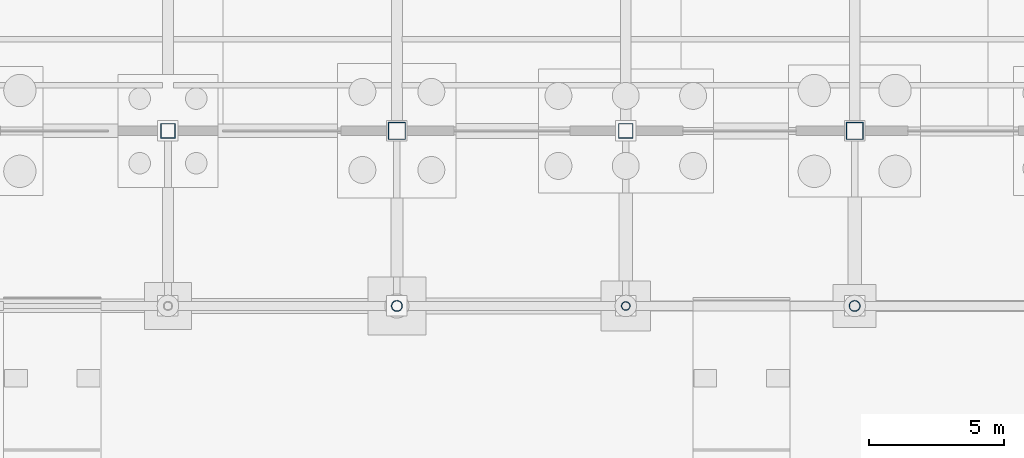
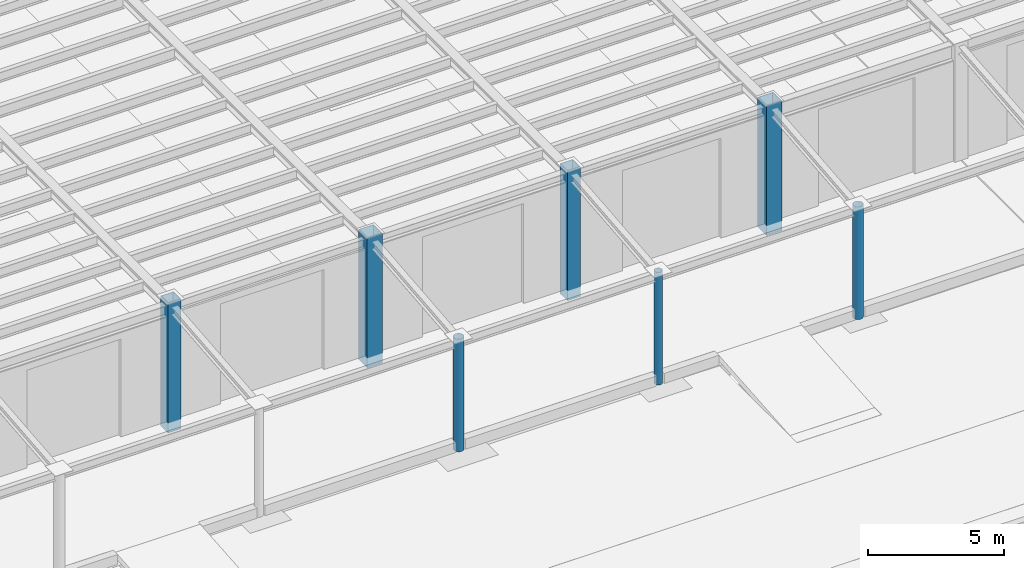
# One storey, part 16 of 86: 7 columns.
"""IFC4 building model written with IfcOpenShell, lengths in metres."""

from ifc_helpers import new_model, si_unit, direction, frame, origin, origin_2d, place, context, subcontext, project, spatial, hollow_rectangle, hollow_circle, extrude, material, material_profile, profile_set, type_object, element, save


model = new_model("IFC4")

# Units and contexts
model_context = context("Model", 3, precision=1e-05, world=origin(), true_north=direction((0.0, 1.0)))
body_context = subcontext(model_context, "Body", "Model", "MODEL_VIEW")
ifc_project = project(units=[si_unit("LENGTHUNIT", "METRE"), si_unit("AREAUNIT", "SQUARE_METRE"), si_unit("VOLUMEUNIT", "CUBIC_METRE"), si_unit("PLANEANGLEUNIT", "RADIAN"), si_unit("MASSUNIT", "GRAM", prefix="KILO"), si_unit("THERMODYNAMICTEMPERATUREUNIT", "KELVIN"), si_unit("POWERUNIT", "WATT")], contexts=[model_context])

# Site, building, storey
site_placement = place(None, origin())
site = spatial("IfcSite", under=ifc_project, at=site_placement, CompositionType="ELEMENT")
building_placement = place(site_placement, origin())
building = spatial("IfcBuilding", under=site, at=building_placement, Name="Zhenchuan Central Fire Station", CompositionType="ELEMENT")
storey_placement = place(building_placement, frame((0.0, 0.0, 0.449951171875)))
storey = spatial("IfcBuildingStorey", under=building, at=storey_placement, Name="L01", CompositionType="ELEMENT", Elevation=0.449951171875)

# Columns
ifc_material = material(Name="Steel Q355B", Category="steel")
ifc_material_profile_1 = material_profile(ifc_material, hollow_rectangle(XDim=0.550048828125, YDim=0.550048828125, WallThickness=0.02587890625, at=origin_2d()), Name="BOX 550x550x26")
ifc_profile_set_1 = profile_set([ifc_material_profile_1], Name="Steel Q355B")
column_type_1 = type_object("IfcColumnType", Name="COL-BOX550", PredefinedType="COLUMN", material=ifc_profile_set_1)
for number, where, z_axis, x_axis, name in (
    (1, (98.5, 6.5, -0.449951171875), (0.0, 0.0, 1.0), (1.0, 0.0, 0.0), "L01 Column 083"),
    (2, (115.5, 6.5, -0.449951171875), (0.0, 0.0, 1.0), (1.0, 0.0, 0.0), "L01 Column 089"),
):
    element("IfcColumn", number, at=place(storey_placement, frame(where, z_axis=z_axis, x_axis=x_axis)), inside=storey, type_object=column_type_1, Name=name, PredefinedType="COLUMN", context=body_context, shape_type="SweptSolid", body=[
        extrude(hollow_rectangle(XDim=0.550048828125, YDim=0.550048828125, WallThickness=0.02587890625, at=origin_2d()), origin(), (0.0, 0.0, 1.0), 5.85009765625),
    ])
ifc_material_profile_2 = material_profile(ifc_material, hollow_rectangle(XDim=0.64990234375, YDim=0.64990234375, WallThickness=0.031982421875, at=origin_2d()), Name="BOX 650x650x32")
ifc_profile_set_2 = profile_set([ifc_material_profile_2], Name="Steel Q355B")
column_type_2 = type_object("IfcColumnType", Name="COL-BOX650", PredefinedType="COLUMN", material=ifc_profile_set_2)
for number, where, z_axis, x_axis, name in (
    (3, (107.0, 6.5, -0.449951171875), (0.0, 0.0, 1.0), (1.0, 0.0, 0.0), "L01 Column 086"),
    (4, (124.0, 6.5, -0.449951171875), (0.0, 0.0, 1.0), (1.0, 0.0, 0.0), "L01 Column 092"),
):
    element("IfcColumn", number, at=place(storey_placement, frame(where, z_axis=z_axis, x_axis=x_axis)), inside=storey, type_object=column_type_2, Name=name, PredefinedType="COLUMN", context=body_context, shape_type="SweptSolid", body=[
        extrude(hollow_rectangle(XDim=0.64990234375, YDim=0.64990234375, WallThickness=0.031982421875, at=origin_2d()), origin(), (0.0, 0.0, 1.0), 5.85009765625),
    ])
ifc_material_profile_3 = material_profile(ifc_material, hollow_circle(Radius=0.161865234375, WallThickness=0.013916015625, at=origin_2d()), Name="CHS 323.9x14")
ifc_profile_set_3 = profile_set([ifc_material_profile_3], Name="Steel Q355B")
column_type_3 = type_object("IfcColumnType", Name="COL-CHS324", PredefinedType="COLUMN", material=ifc_profile_set_3)
column_placement = place(storey_placement, frame((115.5, 0.0, -0.449951171875), z_axis=(0.0, 0.0, 1.0), x_axis=(1.0, 0.0, 0.0)))
element("IfcColumn", 5, at=column_placement, inside=storey, type_object=column_type_3, Name="L01 Column 088", PredefinedType="COLUMN", context=body_context, shape_type="SweptSolid", body=[
    extrude(hollow_circle(Radius=0.161865234375, WallThickness=0.013916015625, at=origin_2d()), origin(), (0.0, 0.0, 1.0), 5.06005859375),
])
ifc_material_profile_4 = material_profile(ifc_material, hollow_circle(Radius=0.203125, WallThickness=0.01611328125, at=origin_2d()), Name="CHS 406.4x16")
ifc_profile_set_4 = profile_set([ifc_material_profile_4], Name="Steel Q355B")
column_type_4 = type_object("IfcColumnType", Name="COL-CHS406", PredefinedType="COLUMN", material=ifc_profile_set_4)
for number, where, z_axis, x_axis, name in (
    (6, (107.0, 0.0, -0.449951171875), (0.0, 0.0, 1.0), (1.0, 0.0, 0.0), "L01 Column 085"),
    (7, (124.0, 0.0, -0.449951171875), (0.0, 0.0, 1.0), (1.0, 0.0, 0.0), "L01 Column 091"),
):
    element("IfcColumn", number, at=place(storey_placement, frame(where, z_axis=z_axis, x_axis=x_axis)), inside=storey, type_object=column_type_4, Name=name, PredefinedType="COLUMN", context=body_context, shape_type="SweptSolid", body=[
        extrude(hollow_circle(Radius=0.203125, WallThickness=0.01611328125, at=origin_2d()), origin(), (0.0, 0.0, 1.0), 5.06005859375),
    ])

save(model, "model.ifc")
